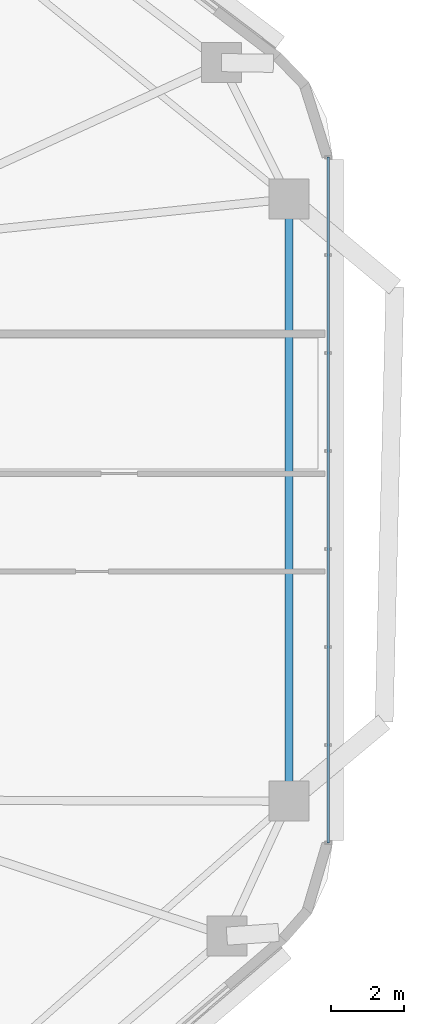
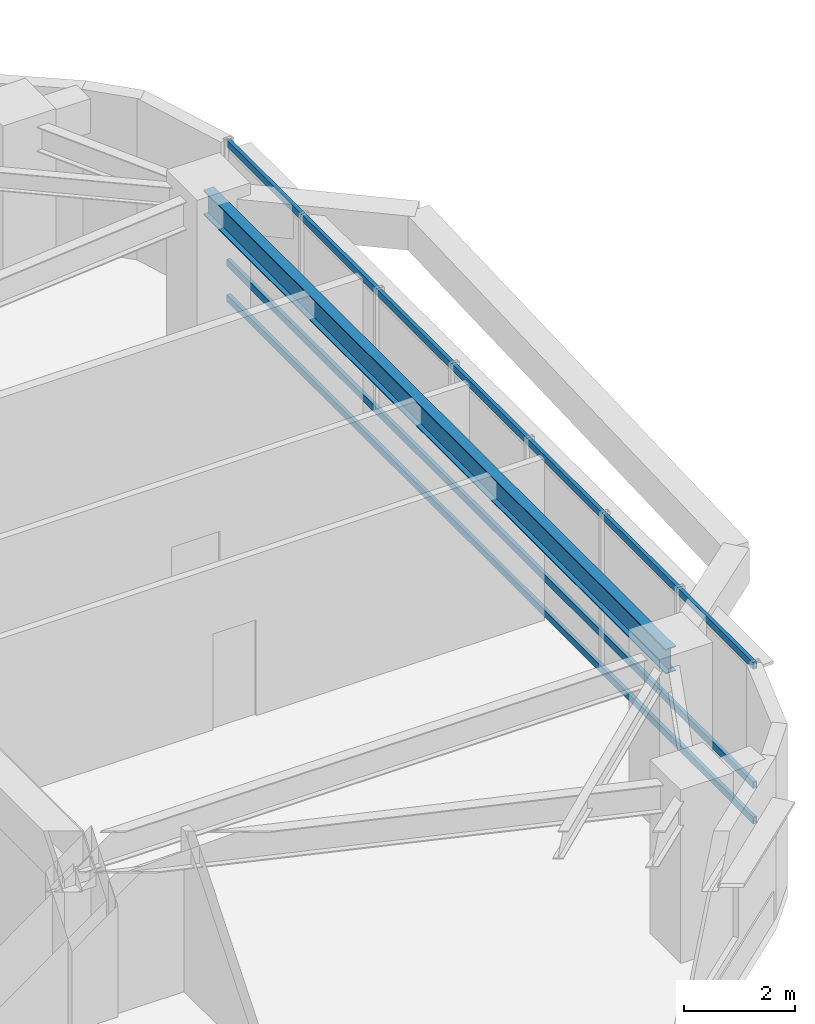
# One storey, part 3 of 13: 3 members, 1 beam, 1 element without a shape of its own.
"""IFC4 building model written with IfcOpenShell, lengths in metres."""

from ifc_helpers import new_model, si_unit, direction, frame, origin, origin_2d, place, context, subcontext, project, spatial, hollow_rectangle, i_section, extrude, material, material_profile, profile_set, type_object, element, aggregate, save


model = new_model("IFC4")

# Units and contexts
model_context = context("Model", 3, precision=1e-05, world=origin(), true_north=direction((0.0, 1.0)))
body_context = subcontext(model_context, "Body", "Model", "MODEL_VIEW")
ifc_project = project(units=[si_unit("LENGTHUNIT", "METRE"), si_unit("AREAUNIT", "SQUARE_METRE"), si_unit("VOLUMEUNIT", "CUBIC_METRE"), si_unit("PLANEANGLEUNIT", "RADIAN"), si_unit("MASSUNIT", "GRAM", prefix="KILO")], contexts=[model_context])

# Site, building, storey
site_placement = place(None, origin())
site = spatial("IfcSite", under=ifc_project, at=site_placement, CompositionType="ELEMENT")
building_placement = place(site_placement, origin())
building = spatial("IfcBuilding", under=site, at=building_placement, Name="Zulverin Broadcast Headquarters", CompositionType="ELEMENT")
storey_placement = place(building_placement, frame((0.0, 0.0, 155.39990234375)))
storey = spatial("IfcBuildingStorey", under=building, at=storey_placement, Name="L39", CompositionType="ELEMENT", Elevation=155.39990234375)

# Beam
ifc_material_1 = material(Name="Structural steel S355JR", Category="steel")
ifc_material_profile_1 = material_profile(ifc_material_1, i_section(OverallWidth=0.2119140625, OverallDepth=0.54443359375, WebThickness=0.0126953125, FlangeThickness=0.021240234375, at=origin_2d()), Name="Structural steel S355JR", Category="steel")
ifc_profile_set_1 = profile_set([ifc_material_profile_1], Name="Structural steel S355JR")
beam_type = type_object("IfcBeamType", Name="BM-UB-533", PredefinedType="SPANDREL", material=ifc_profile_set_1)
beam_placement = place(storey_placement, frame((60.60009765625, 17.519287109375, 3.267822265625), z_axis=(0.0, 1.0, 0.0), x_axis=(-1.0, 0.0, 0.0)))
element("IfcBeam", 1, at=beam_placement, inside=storey, type_object=beam_type, Name="L39 Perimeter Spandrel Beam SP-05", PredefinedType="SPANDREL", context=body_context, shape_type="SweptSolid", body=[
    extrude(i_section(OverallWidth=0.2119140625, OverallDepth=0.54443359375, WebThickness=0.0126953125, FlangeThickness=0.021240234375, at=origin_2d()), origin(), (0.0, 0.0, 1.0), 16.602294921875),
])

# Curtain wall, members
ifc_material_2 = material(Name="Waist wind-pressure unitised curtain wall", Category="aluminium")
curtain_wall_type = type_object("IfcCurtainWallType", Name="CW-TWR-WST", PredefinedType="USERDEFINED", material=ifc_material_2)
curtain_wall_placement = place(storey_placement, origin())
curtain_wall = element("IfcCurtainWall", 2, at=curtain_wall_placement, inside=storey, type_object=curtain_wall_type, Name="L39 Unitised Curtain Wall CW-L39-E3", ObjectType="UNITISED CURTAIN WALL", PredefinedType="USERDEFINED")
ifc_material_3 = material(Name="Anodized pale-metal aluminium alloy 6063-T6", Category="aluminium")
ifc_material_profile_2 = material_profile(ifc_material_3, hollow_rectangle(XDim=0.074951171875, YDim=0.14990234375, WallThickness=0.0048828125, at=origin_2d()), Name="Anodized pale-metal aluminium alloy 6063-T6", Category="aluminium")
ifc_profile_set_2 = profile_set([ifc_material_profile_2], Name="Anodized pale-metal aluminium alloy 6063-T6")
member_type = type_object("IfcMemberType", Name="CW-TRN-150", PredefinedType="USERDEFINED", material=ifc_profile_set_2)
member_1_placement = place(storey_placement, frame((61.679931640625, 16.369384765625, 0.0751953125), z_axis=(0.0, 1.0, 0.0), x_axis=(-1.0, 0.0, 0.0)))
member_1 = element("IfcMember", 3, at=member_1_placement, type_object=member_type, Name="CW-L39-E3 Transom 0", ObjectType="TRANSOM", PredefinedType="USERDEFINED", context=body_context, shape_type="SweptSolid", body=[
    extrude(hollow_rectangle(XDim=0.074951171875, YDim=0.14990234375, WallThickness=0.0048828125, at=origin_2d()), origin(), (0.0, 0.0, 1.0), 18.902099609375),
])
member_2_placement = place(storey_placement, frame((61.679931640625, 16.369384765625, 0.849609375), z_axis=(0.0, 1.0, 0.0), x_axis=(-1.0, 0.0, 0.0)))
member_2 = element("IfcMember", 4, at=member_2_placement, type_object=member_type, Name="CW-L39-E3 Transom 1", ObjectType="TRANSOM", PredefinedType="USERDEFINED", context=body_context, shape_type="SweptSolid", body=[
    extrude(hollow_rectangle(XDim=0.074951171875, YDim=0.14990234375, WallThickness=0.0048828125, at=origin_2d()), origin(), (0.0, 0.0, 1.0), 18.902099609375),
])
member_3_placement = place(storey_placement, frame((61.679931640625, 16.369384765625, 3.465087890625), z_axis=(0.0, 1.0, 0.0), x_axis=(-1.0, 0.0, 0.0)))
member_3 = element("IfcMember", 5, at=member_3_placement, type_object=member_type, Name="CW-L39-E3 Transom 2", ObjectType="TRANSOM", PredefinedType="USERDEFINED", context=body_context, shape_type="SweptSolid", body=[
    extrude(hollow_rectangle(XDim=0.074951171875, YDim=0.14990234375, WallThickness=0.0048828125, at=origin_2d()), origin(), (0.0, 0.0, 1.0), 18.902099609375),
])
aggregate(curtain_wall, [member_1, member_2, member_3])

save(model, "model.ifc")
